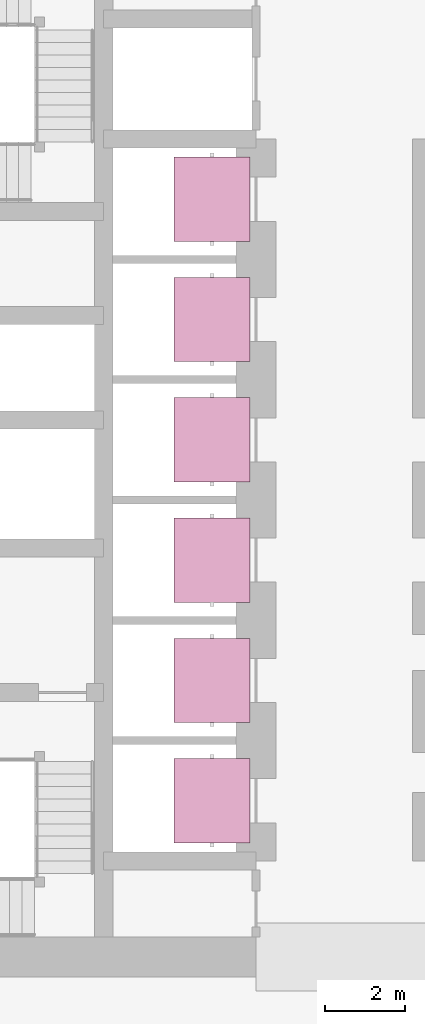
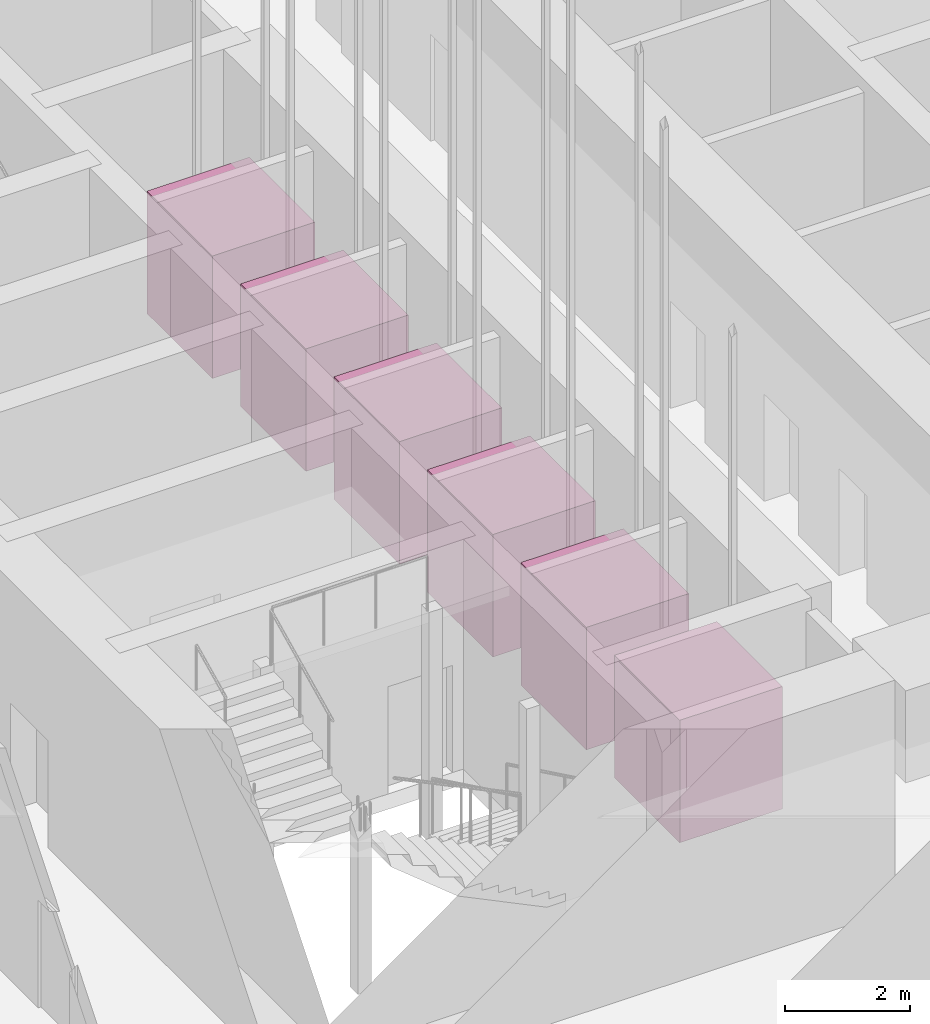
# One storey, part 27 of 39: 6 transport elements.
"""IFC4 building model written with IfcOpenShell, lengths in metres."""

from ifc_helpers import new_model, si_unit, direction, frame, origin, origin_2d, place, context, subcontext, project, spatial, rectangle, extrude, material, type_object, element, save


model = new_model("IFC4")

# Units and contexts
model_context = context("Model", 3, precision=1e-05, world=origin(), true_north=direction((0.0, 1.0)))
body_context = subcontext(model_context, "Body", "Model", "MODEL_VIEW")
ifc_project = project(units=[si_unit("LENGTHUNIT", "METRE"), si_unit("AREAUNIT", "SQUARE_METRE"), si_unit("VOLUMEUNIT", "CUBIC_METRE"), si_unit("PLANEANGLEUNIT", "RADIAN"), si_unit("MASSUNIT", "GRAM", prefix="KILO")], contexts=[model_context])

# Site, building, storey
site_placement = place(None, origin())
site = spatial("IfcSite", under=ifc_project, at=site_placement, CompositionType="ELEMENT")
building_placement = place(site_placement, origin())
building = spatial("IfcBuilding", under=site, at=building_placement, Name="Rekha Terrace Tower", CompositionType="ELEMENT")
storey_placement = place(building_placement, frame((0.0, 0.0, 168.199951171875)))
storey = spatial("IfcBuildingStorey", under=building, at=storey_placement, Name="L42", CompositionType="ELEMENT", Elevation=168.199951171875)

# Transport elements
ifc_material = material(Name="Steel car with stainless steel lining", Category="steel")
transport_element_type = type_object("IfcTransportElementType", Name="LP1 1600 kg passenger lift", PredefinedType="ELEVATOR", material=ifc_material)
for number, where, z_axis, x_axis, name in (
    (1, (34.5, 24.89990234375, 0.0), (0.0, 0.0, 1.0), (1.0, 0.0, 0.0), "Lift C1"),
    (2, (34.5, 27.89990234375, 0.0), (0.0, 0.0, 1.0), (1.0, 0.0, 0.0), "Lift C2"),
    (3, (34.5, 30.89990234375, 0.0), (0.0, 0.0, 1.0), (1.0, 0.0, 0.0), "Lift C3"),
    (4, (34.5, 33.89990234375, 0.0), (0.0, 0.0, 1.0), (1.0, 0.0, 0.0), "Lift C4"),
    (5, (34.5, 36.89990234375, 0.0), (0.0, 0.0, 1.0), (1.0, 0.0, 0.0), "Lift C5"),
    (6, (34.5, 39.89990234375, 0.0), (0.0, 0.0, 1.0), (1.0, 0.0, 0.0), "Lift C6"),
):
    element("IfcTransportElement", number, at=place(storey_placement, frame(where, z_axis=z_axis, x_axis=x_axis)), inside=storey, type_object=transport_element_type, Name=name, PredefinedType="ELEVATOR", context=body_context, shape_type="SweptSolid", body=[
        extrude(rectangle(XDim=1.89990234375, YDim=2.10009765625, at=origin_2d()), origin(), (0.0, 0.0, 1.0), 2.39990234375),
    ])

save(model, "model.ifc")
